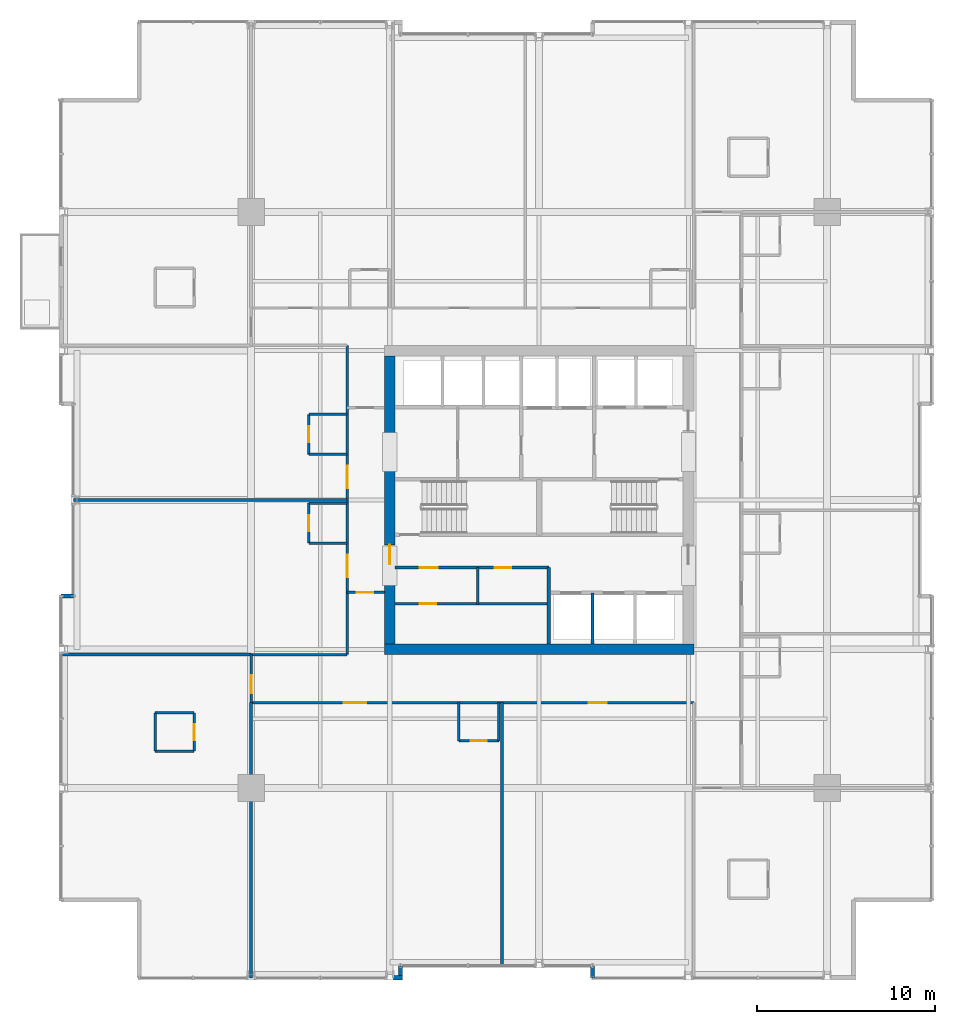
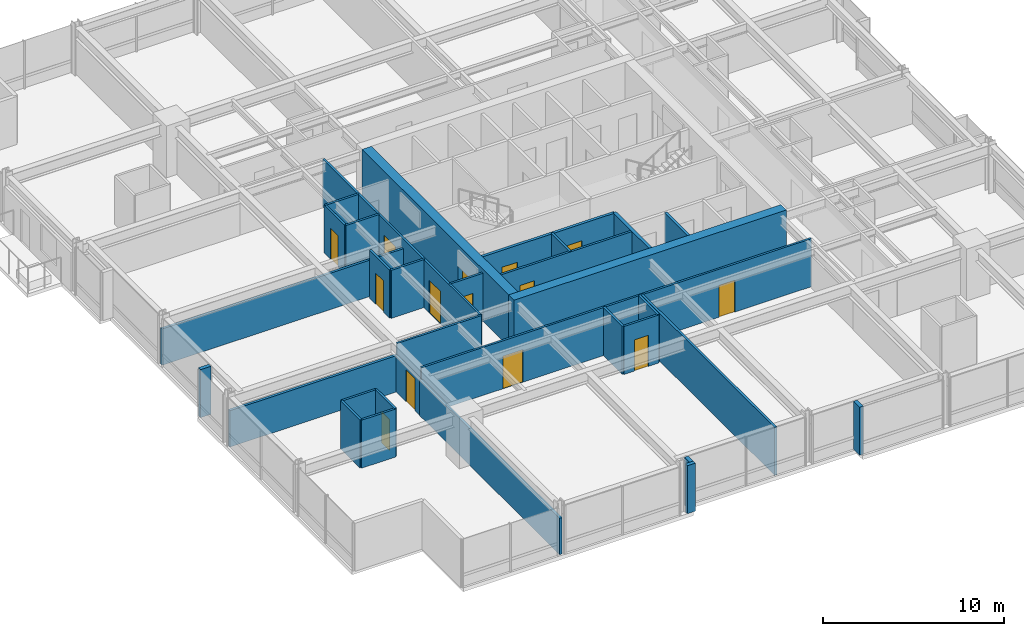
# One storey, part 28 of 33: 33 walls, 14 doors, 14 openings.
"""IFC4 building model written with IfcOpenShell, lengths in metres."""

from ifc_helpers import new_model, si_unit, direction, frame, frame_2d, origin, place, context, subcontext, project, spatial, rectangle, extrude, material, layer, layer_set, type_object, element, fill, save


model = new_model("IFC4")

# Units and contexts
model_context = context("Model", 3, precision=1e-05, world=origin(), true_north=direction((0.0, 1.0)))
body_context = subcontext(model_context, "Body", "Model", "MODEL_VIEW")
ifc_project = project(units=[si_unit("LENGTHUNIT", "METRE"), si_unit("AREAUNIT", "SQUARE_METRE"), si_unit("VOLUMEUNIT", "CUBIC_METRE"), si_unit("PLANEANGLEUNIT", "RADIAN"), si_unit("MASSUNIT", "GRAM", prefix="KILO")], contexts=[model_context])

# Site, building, storey
site_placement = place(None, origin())
site = spatial("IfcSite", under=ifc_project, at=site_placement, CompositionType="ELEMENT")
building_placement = place(site_placement, origin())
building = spatial("IfcBuilding", under=site, at=building_placement, Name="Drelvath Grand Hotel", CompositionType="ELEMENT")
storey_placement = place(building_placement, frame((0.0, 0.0, 105.800048828125)))
storey = spatial("IfcBuildingStorey", under=building, at=storey_placement, Name="L26", CompositionType="ELEMENT", Elevation=105.800048828125)

# Walls
ifc_material_1 = material(Name="Concrete C40/50", Category="concrete")
ifc_layer_1 = layer(ifc_material_1, 0.199951171875)
ifc_layer_set_1 = layer_set([ifc_layer_1], Name="Concrete C40/50")
wall_type_1 = type_object("IfcWallType", Name="Core Hoistway Fire Wall 200", PredefinedType="SOLIDWALL", material=ifc_layer_set_1)
wall_1_placement = place(storey_placement, frame((0.550048828125, 18.89990234375, 0.0), z_axis=(0.0, 0.0, 1.0), x_axis=(0.0, 1.0, 0.0)))
element("IfcWall", 1, at=wall_1_placement, inside=storey, type_object=wall_type_1, Name="L26 Bank 2 West Wall", PredefinedType="SOLIDWALL", context=body_context, shape_type="SweptSolid", body=[
    extrude(rectangle(XDim=4.300048828125, YDim=0.199951171875, at=frame_2d((2.14990234375, 0.0))), origin(), (0.0, 0.0, 1.0), 3.239990234375),
])
ifc_material_2 = material(Name="Gypsum Fireboard Partition")
ifc_layer_2 = layer(ifc_material_2, 0.1650390625)
ifc_layer_set_2 = layer_set([ifc_layer_2], Name="Gypsum Fireboard Partition")
wall_type_2 = type_object("IfcWallType", Name="Core Shaft Partition 165", PredefinedType="PARTITIONING", material=ifc_layer_set_2)
wall_2_placement = place(storey_placement, frame((3.0, 18.89990234375, 0.0), z_axis=(0.0, 0.0, 1.0), x_axis=(0.0, 1.0, 0.0)))
element("IfcWall", 2, at=wall_2_placement, inside=storey, type_object=wall_type_2, Name="L26 Lift PE-4/5 Divider", PredefinedType="PARTITIONING", context=body_context, shape_type="SweptSolid", body=[
    extrude(rectangle(XDim=2.880126953125, YDim=0.1650390625, at=frame_2d((1.43994140625, 0.0))), origin(), (0.0, 0.0, 1.0), 3.239990234375),
])

# Wall, opening, door
ifc_layer_3 = layer(ifc_material_2, 0.135009765625)
ifc_layer_set_3 = layer_set([ifc_layer_3], Name="Gypsum Fireboard Partition")
wall_type_3 = type_object("IfcWallType", Name="Corridor Fire Barrier Wall 135", PredefinedType="PARTITIONING", material=ifc_layer_set_3)
wall_3_placement = place(storey_placement, frame((-10.800048828125, 21.800048828125, 0.0), z_axis=(0.0, 0.0, 1.0), x_axis=(1.0, 0.0, 0.0)))
wall_3 = element("IfcWall", 3, at=wall_3_placement, inside=storey, type_object=wall_type_3, Name="L26 West Foyer South Wall", PredefinedType="PARTITIONING", context=body_context, shape_type="SweptSolid", body=[
    extrude(rectangle(XDim=2.10009765625, YDim=0.135009765625, at=frame_2d((1.050048828125, 0.0))), origin(), (0.0, 0.0, 1.0), 3.239990234375),
])
opening_1_placement = place(wall_3_placement, frame((0.550048828125, 0.0, 0.0)))
opening_1 = element("IfcOpeningElement", 4, at=opening_1_placement, cuts=wall_3, Name="Opening D-T2G2-019", PredefinedType="OPENING", context=body_context, shape_type="SweptSolid", body=[
    extrude(rectangle(XDim=0.919921875, YDim=2.10009765625, at=frame_2d((0.4599609375, 1.050048828125))), frame((0.0, 0.077392578125, 0.0), z_axis=(0.0, -1.0, 0.0), x_axis=(1.0, 0.0, 0.0)), (0.0, 0.0, 1.0), 0.155029296875),
])
ifc_material_3 = material(Name="Painted Steel S275", Category="steel")
door_type_1 = type_object("IfcDoorType", Name="Staff Utility Door 920x2100", OperationType="NOTDEFINED", PredefinedType="DOOR", material=ifc_material_3)
door_1_placement = place(opening_1_placement, origin())
door_1 = element("IfcDoor", 5, at=door_1_placement, inside=storey, type_object=door_type_1, Name="L26 West Linen Closet Door", OperationType="SINGLE_SWING_RIGHT", OverallHeight=2.10009765625, OverallWidth=0.919921875, PredefinedType="DOOR", context=body_context, shape_type="SweptSolid", body=[
    extrude(rectangle(XDim=0.919921875, YDim=2.10009765625, at=frame_2d((0.4599609375, 1.050048828125))), frame((0.0, 0.02490234375, 0.0), z_axis=(0.0, -1.0, 0.0), x_axis=(1.0, 0.0, 0.0)), (0.0, 0.0, 1.0), 0.050048828125),
])
fill(opening_1, door_1)

# Wall
wall_4_placement = place(storey_placement, frame((-16.199951171875, 18.300048828125, 0.0), z_axis=(0.0, 0.0, 1.0), x_axis=(1.0, 0.0, 0.0)))
element("IfcWall", 6, at=wall_4_placement, inside=storey, type_object=wall_type_3, Name="L26 SW Stub North Wall", PredefinedType="PARTITIONING", context=body_context, shape_type="SweptSolid", body=[
    extrude(rectangle(XDim=5.39990234375, YDim=0.135009765625, at=frame_2d((2.699951171875, 0.0))), origin(), (0.0, 0.0, 1.0), 3.239990234375),
])

# Wall, openings, doors
wall_5_placement = place(storey_placement, frame((-16.199951171875, 15.60009765625, 0.0), z_axis=(0.0, 0.0, 1.0), x_axis=(1.0, 0.0, 0.0)))
wall_5 = element("IfcWall", 7, at=wall_5_placement, inside=storey, type_object=wall_type_3, Name="L26 South Stub Corridor Wall", PredefinedType="PARTITIONING", context=body_context, shape_type="SweptSolid", body=[
    extrude(rectangle(XDim=24.89990234375, YDim=0.135009765625, at=frame_2d((12.449951171875, 0.0))), origin(), (0.0, 0.0, 1.0), 3.239990234375),
])
opening_2_placement = place(wall_5_placement, frame((5.2099609375, 0.0, 0.0)))
opening_2 = element("IfcOpeningElement", 8, at=opening_2_placement, cuts=wall_5, Name="Opening D-T2G2-030", PredefinedType="OPENING", context=body_context, shape_type="SweptSolid", body=[
    extrude(rectangle(XDim=1.260009765625, YDim=2.199951171875, at=frame_2d((0.6298828125, 1.10009765625))), frame((0.0, 0.077392578125, 0.0), z_axis=(0.0, -1.0, 0.0), x_axis=(1.0, 0.0, 0.0)), (0.0, 0.0, 1.0), 0.155029296875),
])
opening_3_placement = place(wall_5_placement, frame((18.9951171875, 0.0, 0.0)))
opening_3 = element("IfcOpeningElement", 9, at=opening_3_placement, cuts=wall_5, Name="Opening D-T2G2-031", PredefinedType="OPENING", context=body_context, shape_type="SweptSolid", body=[
    extrude(rectangle(XDim=1.02001953125, YDim=2.14990234375, at=frame_2d((0.510009765625, 1.074951171875))), frame((0.0, 0.077392578125, 0.0), z_axis=(0.0, -1.0, 0.0), x_axis=(1.0, 0.0, 0.0)), (0.0, 0.0, 1.0), 0.155029296875),
])
ifc_material_4 = material(Name="Hardwood Walnut Timber", Category="wood")
door_type_2 = type_object("IfcDoorType", Name="Amenity Meeting Fire Door 1020x2150", OperationType="NOTDEFINED", PredefinedType="DOOR", material=ifc_material_4)
door_2_placement = place(opening_3_placement, origin())
door_2 = element("IfcDoor", 10, at=door_2_placement, inside=storey, type_object=door_type_2, Name="L26 Wellness Yoga Studio Entry Door", OperationType="SINGLE_SWING_RIGHT", OverallHeight=2.14990234375, OverallWidth=1.02001953125, PredefinedType="DOOR", context=body_context, shape_type="SweptSolid", body=[
    extrude(rectangle(XDim=1.02001953125, YDim=2.14990234375, at=frame_2d((0.510009765625, 1.074951171875))), frame((0.0, 0.02490234375, 0.0), z_axis=(0.0, -1.0, 0.0), x_axis=(1.0, 0.0, 0.0)), (0.0, 0.0, 1.0), 0.050048828125),
])
fill(opening_3, door_2)
door_type_3 = type_object("IfcDoorType", Name="Suite Entrance Fire Door 1260x2200", OperationType="NOTDEFINED", PredefinedType="DOOR", material=ifc_material_4)
door_3_placement = place(opening_2_placement, origin())
door_3 = element("IfcDoor", 11, at=door_3_placement, inside=storey, type_object=door_type_3, Name="L26 Corner Suite Entry Door", OperationType="SINGLE_SWING_LEFT", OverallHeight=2.199951171875, OverallWidth=1.260009765625, PredefinedType="DOOR", context=body_context, shape_type="SweptSolid", body=[
    extrude(rectangle(XDim=1.260009765625, YDim=2.199951171875, at=frame_2d((0.6298828125, 1.10009765625))), frame((0.0, 0.02490234375, 0.0), z_axis=(0.0, -1.0, 0.0), x_axis=(1.0, 0.0, 0.0)), (0.0, 0.0, 1.0), 0.050048828125),
])
fill(opening_2, door_3)

wall_6_placement = place(storey_placement, frame((-10.800048828125, 18.300048828125, 0.0), z_axis=(0.0, 0.0, 1.0), x_axis=(0.0, 1.0, 0.0)))
wall_6 = element("IfcWall", 12, at=wall_6_placement, inside=storey, type_object=wall_type_3, Name="L26 West Spine Wall", PredefinedType="PARTITIONING", context=body_context, shape_type="SweptSolid", body=[
    extrude(rectangle(XDim=17.39990234375, YDim=0.135009765625, at=frame_2d((8.699951171875, 0.0))), origin(), (0.0, 0.0, 1.0), 3.239990234375),
])
opening_4_placement = place(wall_6_placement, frame((4.35498046875, 0.0, 0.0)))
opening_4 = element("IfcOpeningElement", 13, at=opening_4_placement, cuts=wall_6, Name="Opening D-T2G2-046", PredefinedType="OPENING", context=body_context, shape_type="SweptSolid", body=[
    extrude(rectangle(XDim=1.260009765625, YDim=2.199951171875, at=frame_2d((0.6298828125, 1.10009765625))), frame((0.0, 0.077392578125, 0.0), z_axis=(0.0, -1.0, 0.0), x_axis=(1.0, 0.0, 0.0)), (0.0, 0.0, 1.0), 0.155029296875),
])
opening_5_placement = place(wall_6_placement, frame((9.35498046875, 0.0, 0.0)))
opening_5 = element("IfcOpeningElement", 14, at=opening_5_placement, cuts=wall_6, Name="Opening D-T2G2-048", PredefinedType="OPENING", context=body_context, shape_type="SweptSolid", body=[
    extrude(rectangle(XDim=1.260009765625, YDim=2.199951171875, at=frame_2d((0.6298828125, 1.10009765625))), frame((0.0, 0.077392578125, 0.0), z_axis=(0.0, -1.0, 0.0), x_axis=(1.0, 0.0, 0.0)), (0.0, 0.0, 1.0), 0.155029296875),
])
door_4_placement = place(opening_4_placement, origin())
door_4 = element("IfcDoor", 15, at=door_4_placement, inside=storey, type_object=door_type_3, Name="L26 Corner Suite Entry Door", OperationType="SINGLE_SWING_LEFT", OverallHeight=2.199951171875, OverallWidth=1.260009765625, PredefinedType="DOOR", context=body_context, shape_type="SweptSolid", body=[
    extrude(rectangle(XDim=1.260009765625, YDim=2.199951171875, at=frame_2d((0.6298828125, 1.10009765625))), frame((0.0, 0.02490234375, 0.0), z_axis=(0.0, -1.0, 0.0), x_axis=(1.0, 0.0, 0.0)), (0.0, 0.0, 1.0), 0.050048828125),
])
fill(opening_4, door_4)
door_5_placement = place(opening_5_placement, origin())
door_5 = element("IfcDoor", 16, at=door_5_placement, inside=storey, type_object=door_type_3, Name="L26 Corner Suite Entry Door", OperationType="SINGLE_SWING_LEFT", OverallHeight=2.199951171875, OverallWidth=1.260009765625, PredefinedType="DOOR", context=body_context, shape_type="SweptSolid", body=[
    extrude(rectangle(XDim=1.260009765625, YDim=2.199951171875, at=frame_2d((0.6298828125, 1.10009765625))), frame((0.0, 0.02490234375, 0.0), z_axis=(0.0, -1.0, 0.0), x_axis=(1.0, 0.0, 0.0)), (0.0, 0.0, 1.0), 0.050048828125),
])
fill(opening_5, door_5)

# Wall, opening, door
wall_7_placement = place(storey_placement, frame((-16.199951171875, 15.60009765625, 0.0), z_axis=(0.0, 0.0, 1.0), x_axis=(0.0, 1.0, 0.0)))
wall_7 = element("IfcWall", 17, at=wall_7_placement, inside=storey, type_object=wall_type_3, Name="L26 South Stub West End", PredefinedType="PARTITIONING", context=body_context, shape_type="SweptSolid", body=[
    extrude(rectangle(XDim=2.699951171875, YDim=0.135009765625, at=frame_2d((1.35009765625, 0.0))), origin(), (0.0, 0.0, 1.0), 2.45166015625),
])
opening_6_placement = place(wall_7_placement, frame((0.52001953125, 0.0, 0.0)))
opening_6 = element("IfcOpeningElement", 18, at=opening_6_placement, cuts=wall_7, Name="Opening D-T2G2-022", PredefinedType="OPENING", context=body_context, shape_type="SweptSolid", body=[
    extrude(rectangle(XDim=1.02001953125, YDim=2.14990234375, at=frame_2d((0.510009765625, 1.074951171875))), frame((0.0, 0.077392578125, 0.0), z_axis=(0.0, -1.0, 0.0), x_axis=(1.0, 0.0, 0.0)), (0.0, 0.0, 1.0), 0.155029296875),
])
door_6_placement = place(opening_6_placement, origin())
door_6 = element("IfcDoor", 19, at=door_6_placement, inside=storey, type_object=door_type_2, Name="L26 Corner Suite Entry Door", OperationType="SINGLE_SWING_LEFT", OverallHeight=2.14990234375, OverallWidth=1.02001953125, PredefinedType="DOOR", context=body_context, shape_type="SweptSolid", body=[
    extrude(rectangle(XDim=1.02001953125, YDim=2.14990234375, at=frame_2d((0.510009765625, 1.074951171875))), frame((0.0, 0.02490234375, 0.0), z_axis=(0.0, -1.0, 0.0), x_axis=(1.0, 0.0, 0.0)), (0.0, 0.0, 1.0), 0.050048828125),
])
fill(opening_6, door_6)

ifc_material_5 = material(Name="Moisture-Resistant Gypsum Board")
ifc_layer_4 = layer(ifc_material_5, 0.139892578125)
ifc_layer_set_4 = layer_set([ifc_layer_4], Name="Moisture-Resistant Gypsum Board")
wall_type_4 = type_object("IfcWallType", Name="En-Suite Plumbing Wall 140", PredefinedType="PLUMBINGWALL", material=ifc_layer_set_4)
wall_8_placement = place(storey_placement, frame((-8.10009765625, 21.159912109375, 0.0), z_axis=(0.0, 0.0, 1.0), x_axis=(1.0, 0.0, 0.0)))
wall_8 = element("IfcWall", 20, at=wall_8_placement, inside=storey, type_object=wall_type_4, Name="L26 Reclaimed Horizontal Wall", PredefinedType="PLUMBINGWALL", context=body_context, shape_type="SweptSolid", body=[
    extrude(rectangle(XDim=8.650146484375, YDim=0.139892578125, at=frame_2d((4.3251953125, 0.0))), origin(), (0.0, 0.0, 1.0), 3.239990234375),
])
opening_7_placement = place(wall_8_placement, frame((1.39990234375, 0.0, 0.0)))
opening_7 = element("IfcOpeningElement", 21, at=opening_7_placement, cuts=wall_8, Name="Opening D-T2G2-018", PredefinedType="OPENING", context=body_context, shape_type="SweptSolid", body=[
    extrude(rectangle(XDim=0.919921875, YDim=2.10009765625, at=frame_2d((0.4599609375, 1.050048828125))), frame((0.0, 0.079833984375, 0.0), z_axis=(0.0, -1.0, 0.0), x_axis=(1.0, 0.0, 0.0)), (0.0, 0.0, 1.0), 0.159912109375),
])
door_7_placement = place(opening_7_placement, origin())
door_7 = element("IfcDoor", 22, at=door_7_placement, inside=storey, type_object=door_type_1, Name="L26 Housekeeping Inner Door", OperationType="SINGLE_SWING_LEFT", OverallHeight=2.10009765625, OverallWidth=0.919921875, PredefinedType="DOOR", context=body_context, shape_type="SweptSolid", body=[
    extrude(rectangle(XDim=0.919921875, YDim=2.10009765625, at=frame_2d((0.4599609375, 1.050048828125))), frame((0.0, 0.02490234375, 0.0), z_axis=(0.0, -1.0, 0.0), x_axis=(1.0, 0.0, 0.0)), (0.0, 0.0, 1.0), 0.050048828125),
])
fill(opening_7, door_7)

# Walls
wall_9_placement = place(storey_placement, frame((-3.43994140625, 21.159912109375, 0.0), z_axis=(0.0, 0.0, 1.0), x_axis=(0.0, 1.0, 0.0)))
element("IfcWall", 23, at=wall_9_placement, inside=storey, type_object=wall_type_4, Name="L26 Staff WC Wall", PredefinedType="PLUMBINGWALL", context=body_context, shape_type="SweptSolid", body=[
    extrude(rectangle(XDim=2.0400390625, YDim=0.139892578125, at=frame_2d((1.02001953125, 0.0))), origin(), (0.0, 0.0, 1.0), 3.239990234375),
])
for number, where, z_axis, x_axis, name in (
    (24, (-21.60009765625, 12.8798828125, 0.0), (0.0, 0.0, 1.0), (1.0, 0.0, 0.0), "L26 Corner En-Suite South"),
    (25, (-21.60009765625, 15.030029296875, 0.0), (0.0, 0.0, 1.0), (1.0, 0.0, 0.0), "L26 Corner En-Suite North"),
):
    element("IfcWall", number, at=place(storey_placement, frame(where, z_axis=z_axis, x_axis=x_axis)), inside=storey, type_object=wall_type_4, Name=name, PredefinedType="PLUMBINGWALL", context=body_context, shape_type="SweptSolid", body=[
        extrude(rectangle(XDim=2.2001953125, YDim=0.139892578125, at=frame_2d((1.10009765625, 0.0))), origin(), (0.0, 0.0, 1.0), 3.239990234375),
    ])
wall_10_placement = place(storey_placement, frame((-21.60009765625, 12.8798828125, 0.0), z_axis=(0.0, 0.0, 1.0), x_axis=(0.0, 1.0, 0.0)))
element("IfcWall", 26, at=wall_10_placement, inside=storey, type_object=wall_type_4, Name="L26 Corner En-Suite West", PredefinedType="PLUMBINGWALL", context=body_context, shape_type="SweptSolid", body=[
    extrude(rectangle(XDim=2.150146484375, YDim=0.139892578125, at=frame_2d((1.0751953125, 0.0))), origin(), (0.0, 0.0, 1.0), 3.239990234375),
])

# Wall, opening, door
wall_11_placement = place(storey_placement, frame((-19.39990234375, 12.8798828125, 0.0), z_axis=(0.0, 0.0, 1.0), x_axis=(0.0, 1.0, 0.0)))
wall_11 = element("IfcWall", 27, at=wall_11_placement, inside=storey, type_object=wall_type_4, Name="L26 Corner En-Suite East", PredefinedType="PLUMBINGWALL", context=body_context, shape_type="SweptSolid", body=[
    extrude(rectangle(XDim=2.150146484375, YDim=0.139892578125, at=frame_2d((1.0751953125, 0.0))), origin(), (0.0, 0.0, 1.0), 3.239990234375),
])
opening_8_placement = place(wall_11_placement, frame((0.6201171875, 0.0, 0.0)))
opening_8 = element("IfcOpeningElement", 28, at=opening_8_placement, cuts=wall_11, Name="Opening D-T2G2-021", PredefinedType="OPENING", context=body_context, shape_type="SweptSolid", body=[
    extrude(rectangle(XDim=0.8798828125, YDim=2.10009765625, at=frame_2d((0.43994140625, 1.050048828125))), frame((0.0, 0.079833984375, 0.0), z_axis=(0.0, -1.0, 0.0), x_axis=(1.0, 0.0, 0.0)), (0.0, 0.0, 1.0), 0.159912109375),
])
door_type_4 = type_object("IfcDoorType", Name="En-Suite Bathroom Door 880x2100", OperationType="NOTDEFINED", PredefinedType="DOOR", material=ifc_material_4)
door_8_placement = place(opening_8_placement, origin())
door_8 = element("IfcDoor", 29, at=door_8_placement, inside=storey, type_object=door_type_4, Name="L26 Corner En-Suite Door", OperationType="SINGLE_SWING_RIGHT", OverallHeight=2.10009765625, OverallWidth=0.8798828125, PredefinedType="DOOR", context=body_context, shape_type="SweptSolid", body=[
    extrude(rectangle(XDim=0.8798828125, YDim=2.10009765625, at=frame_2d((0.43994140625, 1.050048828125))), frame((0.0, 0.02490234375, 0.0), z_axis=(0.0, -1.0, 0.0), x_axis=(1.0, 0.0, 0.0)), (0.0, 0.0, 1.0), 0.050048828125),
])
fill(opening_8, door_8)

# Walls
for number, where, z_axis, x_axis, name in (
    (30, (-4.52001953125, 15.60009765625, 0.0), (0.0, 0.0, 1.0), (0.0, -1.0, 0.0), "L26 En-Suite Left Wall"),
    (31, (-2.27001953125, 15.60009765625, 0.0), (0.0, 0.0, 1.0), (0.0, -1.0, 0.0), "L26 En-Suite Right Wall"),
):
    element("IfcWall", number, at=place(storey_placement, frame(where, z_axis=z_axis, x_axis=x_axis)), inside=storey, type_object=wall_type_4, Name=name, PredefinedType="PLUMBINGWALL", context=body_context, shape_type="SweptSolid", body=[
        extrude(rectangle(XDim=2.150146484375, YDim=0.139892578125, at=frame_2d((1.0751953125, 0.0))), origin(), (0.0, 0.0, 1.0), 3.239990234375),
    ])

# Wall, opening, door
wall_12_placement = place(storey_placement, frame((-4.52001953125, 13.449951171875, 0.0), z_axis=(0.0, 0.0, 1.0), x_axis=(1.0, 0.0, 0.0)))
wall_12 = element("IfcWall", 32, at=wall_12_placement, inside=storey, type_object=wall_type_4, Name="L26 En-Suite Front Wall", PredefinedType="PLUMBINGWALL", context=body_context, shape_type="SweptSolid", body=[
    extrude(rectangle(XDim=2.25, YDim=0.139892578125, at=frame_2d((1.125, 0.0))), origin(), (0.0, 0.0, 1.0), 3.239990234375),
])
opening_9_placement = place(wall_12_placement, frame((0.68505859375, 0.0, 0.0)))
opening_9 = element("IfcOpeningElement", 33, at=opening_9_placement, cuts=wall_12, Name="Opening D-T2G2-029", PredefinedType="OPENING", context=body_context, shape_type="SweptSolid", body=[
    extrude(rectangle(XDim=0.8798828125, YDim=2.10009765625, at=frame_2d((0.43994140625, 1.050048828125))), frame((0.0, 0.079833984375, 0.0), z_axis=(0.0, -1.0, 0.0), x_axis=(1.0, 0.0, 0.0)), (0.0, 0.0, 1.0), 0.159912109375),
])
door_9_placement = place(opening_9_placement, origin())
door_9 = element("IfcDoor", 34, at=door_9_placement, inside=storey, type_object=door_type_4, Name="L26 En-Suite Bathroom Door", OperationType="SINGLE_SWING_RIGHT", OverallHeight=2.10009765625, OverallWidth=0.8798828125, PredefinedType="DOOR", context=body_context, shape_type="SweptSolid", body=[
    extrude(rectangle(XDim=0.8798828125, YDim=2.10009765625, at=frame_2d((0.43994140625, 1.050048828125))), frame((0.0, 0.02490234375, 0.0), z_axis=(0.0, -1.0, 0.0), x_axis=(1.0, 0.0, 0.0)), (0.0, 0.0, 1.0), 0.050048828125),
])
fill(opening_9, door_9)

# Walls
wall_13_placement = place(storey_placement, frame((-10.800048828125, 24.570068359375, 0.0), z_axis=(0.0, 0.0, 1.0), x_axis=(-1.0, 0.0, 0.0)))
element("IfcWall", 35, at=wall_13_placement, inside=storey, type_object=wall_type_4, Name="L26 En-Suite Left Wall", PredefinedType="PLUMBINGWALL", context=body_context, shape_type="SweptSolid", body=[
    extrude(rectangle(XDim=2.14990234375, YDim=0.139892578125, at=frame_2d((1.074951171875, 0.0))), origin(), (0.0, 0.0, 1.0), 3.239990234375),
])
wall_14_placement = place(storey_placement, frame((-10.800048828125, 26.820068359375, 0.0), z_axis=(0.0, 0.0, 1.0), x_axis=(-1.0, 0.0, 0.0)))
element("IfcWall", 36, at=wall_14_placement, inside=storey, type_object=wall_type_4, Name="L26 En-Suite Right Wall", PredefinedType="PLUMBINGWALL", context=body_context, shape_type="SweptSolid", body=[
    extrude(rectangle(XDim=2.14990234375, YDim=0.139892578125, at=frame_2d((1.074951171875, 0.0))), origin(), (0.0, 0.0, 1.0), 2.617431640625),
])

# Wall, opening, door
wall_15_placement = place(storey_placement, frame((-12.949951171875, 24.570068359375, 0.0), z_axis=(0.0, 0.0, 1.0), x_axis=(0.0, 1.0, 0.0)))
wall_15 = element("IfcWall", 37, at=wall_15_placement, inside=storey, type_object=wall_type_4, Name="L26 En-Suite Front Wall", PredefinedType="PLUMBINGWALL", context=body_context, shape_type="SweptSolid", body=[
    extrude(rectangle(XDim=2.25, YDim=0.139892578125, at=frame_2d((1.125, 0.0))), origin(), (0.0, 0.0, 1.0), 3.239990234375),
])
opening_10_placement = place(wall_15_placement, frame((0.68505859375, 0.0, 0.0)))
opening_10 = element("IfcOpeningElement", 38, at=opening_10_placement, cuts=wall_15, Name="Opening D-T2G2-045", PredefinedType="OPENING", context=body_context, shape_type="SweptSolid", body=[
    extrude(rectangle(XDim=0.8798828125, YDim=2.10009765625, at=frame_2d((0.43994140625, 1.050048828125))), frame((0.0, 0.079833984375, 0.0), z_axis=(0.0, -1.0, 0.0), x_axis=(1.0, 0.0, 0.0)), (0.0, 0.0, 1.0), 0.159912109375),
])
door_10_placement = place(opening_10_placement, origin())
door_10 = element("IfcDoor", 39, at=door_10_placement, inside=storey, type_object=door_type_4, Name="L26 En-Suite Bathroom Door", OperationType="SINGLE_SWING_RIGHT", OverallHeight=2.10009765625, OverallWidth=0.8798828125, PredefinedType="DOOR", context=body_context, shape_type="SweptSolid", body=[
    extrude(rectangle(XDim=0.8798828125, YDim=2.10009765625, at=frame_2d((0.43994140625, 1.050048828125))), frame((0.0, 0.02490234375, 0.0), z_axis=(0.0, -1.0, 0.0), x_axis=(1.0, 0.0, 0.0)), (0.0, 0.0, 1.0), 0.050048828125),
])
fill(opening_10, door_10)

# Walls
for number, where, z_axis, x_axis, name in (
    (40, (-10.800048828125, 29.570068359375, 0.0), (0.0, 0.0, 1.0), (-1.0, 0.0, 0.0), "L26 En-Suite Left Wall"),
    (41, (-10.800048828125, 31.820068359375, 0.0), (0.0, 0.0, 1.0), (-1.0, 0.0, 0.0), "L26 En-Suite Right Wall"),
):
    element("IfcWall", number, at=place(storey_placement, frame(where, z_axis=z_axis, x_axis=x_axis)), inside=storey, type_object=wall_type_4, Name=name, PredefinedType="PLUMBINGWALL", context=body_context, shape_type="SweptSolid", body=[
        extrude(rectangle(XDim=2.14990234375, YDim=0.139892578125, at=frame_2d((1.074951171875, 0.0))), origin(), (0.0, 0.0, 1.0), 3.239990234375),
    ])

# Wall, opening, door
wall_16_placement = place(storey_placement, frame((-12.949951171875, 29.570068359375, 0.0), z_axis=(0.0, 0.0, 1.0), x_axis=(0.0, 1.0, 0.0)))
wall_16 = element("IfcWall", 42, at=wall_16_placement, inside=storey, type_object=wall_type_4, Name="L26 En-Suite Front Wall", PredefinedType="PLUMBINGWALL", context=body_context, shape_type="SweptSolid", body=[
    extrude(rectangle(XDim=2.25, YDim=0.139892578125, at=frame_2d((1.125, 0.0))), origin(), (0.0, 0.0, 1.0), 3.239990234375),
])
opening_11_placement = place(wall_16_placement, frame((0.68505859375, 0.0, 0.0)))
opening_11 = element("IfcOpeningElement", 43, at=opening_11_placement, cuts=wall_16, Name="Opening D-T2G2-047", PredefinedType="OPENING", context=body_context, shape_type="SweptSolid", body=[
    extrude(rectangle(XDim=0.8798828125, YDim=2.10009765625, at=frame_2d((0.43994140625, 1.050048828125))), frame((0.0, 0.079833984375, 0.0), z_axis=(0.0, -1.0, 0.0), x_axis=(1.0, 0.0, 0.0)), (0.0, 0.0, 1.0), 0.159912109375),
])
door_11_placement = place(opening_11_placement, origin())
door_11 = element("IfcDoor", 44, at=door_11_placement, inside=storey, type_object=door_type_4, Name="L26 En-Suite Bathroom Door", OperationType="SINGLE_SWING_RIGHT", OverallHeight=2.10009765625, OverallWidth=0.8798828125, PredefinedType="DOOR", context=body_context, shape_type="SweptSolid", body=[
    extrude(rectangle(XDim=0.8798828125, YDim=2.10009765625, at=frame_2d((0.43994140625, 1.050048828125))), frame((0.0, 0.02490234375, 0.0), z_axis=(0.0, -1.0, 0.0), x_axis=(1.0, 0.0, 0.0)), (0.0, 0.0, 1.0), 0.050048828125),
])
fill(opening_11, door_11)

# Wall, openings, doors
ifc_layer_5 = layer(ifc_material_2, 0.179931640625)
ifc_layer_set_5 = layer_set([ifc_layer_5], Name="Gypsum Fireboard Partition")
wall_type_5 = type_object("IfcWallType", Name="FSAE Smoke Lobby Fire Wall 180", PredefinedType="SOLIDWALL", material=ifc_layer_set_5)
wall_17_placement = place(storey_placement, frame((-8.10009765625, 23.199951171875, 0.0), z_axis=(0.0, 0.0, 1.0), x_axis=(1.0, 0.0, 0.0)))
wall_17 = element("IfcWall", 45, at=wall_17_placement, inside=storey, type_object=wall_type_5, Name="L26 Reclaimed Core Room Wall", PredefinedType="SOLIDWALL", context=body_context, shape_type="SweptSolid", body=[
    extrude(rectangle(XDim=8.650146484375, YDim=0.179931640625, at=frame_2d((4.3251953125, 0.0))), origin(), (0.0, 0.0, 1.0), 3.239990234375),
])
opening_12_placement = place(wall_17_placement, frame((1.39990234375, 0.0, 0.0)))
opening_12 = element("IfcOpeningElement", 46, at=opening_12_placement, cuts=wall_17, Name="Opening D-T2G2-016", PredefinedType="OPENING", context=body_context, shape_type="SweptSolid", body=[
    extrude(rectangle(XDim=1.0, YDim=2.10009765625, at=frame_2d((0.5, 1.050048828125))), frame((0.0, 0.099853515625, 0.0), z_axis=(0.0, -1.0, 0.0), x_axis=(1.0, 0.0, 0.0)), (0.0, 0.0, 1.0), 0.199951171875),
])
opening_13_placement = place(wall_17_placement, frame((5.60009765625, 0.0, 0.0)))
opening_13 = element("IfcOpeningElement", 47, at=opening_13_placement, cuts=wall_17, Name="Opening D-T2G2-017", PredefinedType="OPENING", context=body_context, shape_type="SweptSolid", body=[
    extrude(rectangle(XDim=0.919921875, YDim=2.10009765625, at=frame_2d((0.4599609375, 1.050048828125))), frame((0.0, 0.099853515625, 0.0), z_axis=(0.0, -1.0, 0.0), x_axis=(1.0, 0.0, 0.0)), (0.0, 0.0, 1.0), 0.199951171875),
])
door_type_5 = type_object("IfcDoorType", Name="Core Service Fire Door 1000x2100", OperationType="NOTDEFINED", PredefinedType="DOOR", material=ifc_material_3)
door_12_placement = place(opening_12_placement, origin())
door_12 = element("IfcDoor", 48, at=door_12_placement, inside=storey, type_object=door_type_5, Name="L26 Valet Room Door", OperationType="SINGLE_SWING_LEFT", OverallHeight=2.10009765625, OverallWidth=1.0, PredefinedType="DOOR", context=body_context, shape_type="SweptSolid", body=[
    extrude(rectangle(XDim=1.0, YDim=2.10009765625, at=frame_2d((0.5, 1.050048828125))), frame((0.0, 0.02490234375, 0.0), z_axis=(0.0, -1.0, 0.0), x_axis=(1.0, 0.0, 0.0)), (0.0, 0.0, 1.0), 0.050048828125),
])
fill(opening_12, door_12)
door_13_placement = place(opening_13_placement, origin())
door_13 = element("IfcDoor", 49, at=door_13_placement, inside=storey, type_object=door_type_5, Name="L26 Staff WC Door", OperationType="SINGLE_SWING_RIGHT", OverallHeight=2.10009765625, OverallWidth=0.919921875, PredefinedType="DOOR", context=body_context, shape_type="SweptSolid", body=[
    extrude(rectangle(XDim=0.919921875, YDim=2.10009765625, at=frame_2d((0.4599609375, 1.050048828125))), frame((0.0, 0.02490234375, 0.0), z_axis=(0.0, -1.0, 0.0), x_axis=(1.0, 0.0, 0.0)), (0.0, 0.0, 1.0), 0.050048828125),
])
fill(opening_13, door_13)

# Walls
ifc_material_6 = material(Name="Gypsum Acoustic Partition")
ifc_layer_6 = layer(ifc_material_6, 0.14990234375)
ifc_layer_set_6 = layer_set([ifc_layer_6], Name="Gypsum Acoustic Partition")
wall_type_6 = type_object("IfcWallType", Name="Guestroom Demising Wall 150", PredefinedType="PARTITIONING", material=ifc_layer_set_6)
wall_18_placement = place(storey_placement, frame((-2.090087890625, 0.800048828125, 0.0), z_axis=(0.0, 0.0, 1.0), x_axis=(0.0, 1.0, 0.0)))
element("IfcWall", 50, at=wall_18_placement, inside=storey, type_object=wall_type_6, Name="L26 South Demising 1", PredefinedType="PARTITIONING", context=body_context, shape_type="SweptSolid", body=[
    extrude(rectangle(XDim=14.800048828125, YDim=0.14990234375, at=frame_2d((7.39990234375, 0.0))), origin(), (0.0, 0.0, 1.0), 3.239990234375),
])
wall_19_placement = place(storey_placement, frame((-26.199951171875, 27.0, 0.0), z_axis=(0.0, 0.0, 1.0), x_axis=(1.0, 0.0, 0.0)))
element("IfcWall", 51, at=wall_19_placement, inside=storey, type_object=wall_type_6, Name="L26 West Suite Demising Wall", PredefinedType="PARTITIONING", context=body_context, shape_type="SweptSolid", body=[
    extrude(rectangle(XDim=15.39990234375, YDim=0.14990234375, at=frame_2d((7.699951171875, 0.0))), origin(), (0.0, 0.0, 1.0), 2.45166015625),
])
ifc_material_7 = material(Name="Concrete f'c 70 MPa", Category="concrete")
ifc_layer_7 = layer(ifc_material_7, 0.60009765625)
ifc_layer_set_7 = layer_set([ifc_layer_7], Name="Concrete f'c 70 MPa")
wall_type_7 = type_object("IfcWallType", Name="Lower Core RC Shear Wall 600", PredefinedType="SHEAR", material=ifc_layer_set_7)
wall_20_placement = place(storey_placement, frame((8.699951171875, 18.60009765625, 0.0), z_axis=(0.0, 0.0, 1.0), x_axis=(-1.0, 0.0, 0.0)))
element("IfcWall", 52, at=wall_20_placement, inside=storey, type_object=wall_type_7, Name="L26 Central Core Shear Wall S", PredefinedType="SHEAR", context=body_context, shape_type="SweptSolid", body=[
    extrude(rectangle(XDim=17.39990234375, YDim=0.60009765625, at=frame_2d((8.699951171875, 0.0))), origin(), (0.0, 0.0, 1.0), 3.5),
])

# Wall, opening, door
wall_21_placement = place(storey_placement, frame((-8.39990234375, 18.89990234375, 0.0), z_axis=(0.0, 0.0, 1.0), x_axis=(0.0, 1.0, 0.0)))
wall_21 = element("IfcWall", 53, at=wall_21_placement, inside=storey, type_object=wall_type_7, Name="L26 Central Core Shear Wall W", PredefinedType="SHEAR", context=body_context, shape_type="SweptSolid", body=[
    extrude(rectangle(XDim=16.2001953125, YDim=0.60009765625, at=frame_2d((8.10009765625, 0.0))), origin(), (0.0, 0.0, 1.0), 3.5),
])
opening_14_placement = place(wall_21_placement, frame((4.5, 0.0, 0.0)))
opening_14 = element("IfcOpeningElement", 54, at=opening_14_placement, cuts=wall_21, Name="Opening D-T2G2-014", PredefinedType="OPENING", context=body_context, shape_type="SweptSolid", body=[
    extrude(rectangle(XDim=1.080078125, YDim=2.0400390625, at=frame_2d((0.5400390625, 1.02001953125))), frame((0.0, 0.31005859375, 0.0), z_axis=(0.0, -1.0, 0.0), x_axis=(1.0, 0.0, 0.0)), (0.0, 0.0, 1.0), 0.6201171875),
])
door_type_6 = type_object("IfcDoorType", Name="Core Corridor Fire Door 1080x2100", OperationType="NOTDEFINED", PredefinedType="DOOR", material=ifc_material_3)
door_14_placement = place(opening_14_placement, origin())
door_14 = element("IfcDoor", 55, at=door_14_placement, inside=storey, type_object=door_type_6, Name="L26 Mid-Rise Lobby West Door", OperationType="SINGLE_SWING_LEFT", OverallHeight=2.0400390625, OverallWidth=1.080078125, PredefinedType="DOOR", context=body_context, shape_type="SweptSolid", body=[
    extrude(rectangle(XDim=1.080078125, YDim=2.0400390625, at=frame_2d((0.5400390625, 1.02001953125))), frame((0.0, 0.02490234375, 0.0), z_axis=(0.0, -1.0, 0.0), x_axis=(1.0, 0.0, 0.0)), (0.0, 0.0, 1.0), 0.050048828125),
])
fill(opening_14, door_14)

# Walls
ifc_layer_8 = layer(ifc_material_6, 0.1650390625)
ifc_layer_set_8 = layer_set([ifc_layer_8], Name="Gypsum Acoustic Partition")
wall_type_8 = type_object("IfcWallType", Name="Suite Demising Wall 165", PredefinedType="PARTITIONING", material=ifc_layer_set_8)
wall_22_placement = place(storey_placement, frame((-16.199951171875, 0.1201171875, 0.0), z_axis=(0.0, 0.0, 1.0), x_axis=(0.0, 1.0, 0.0)))
element("IfcWall", 56, at=wall_22_placement, inside=storey, type_object=wall_type_8, Name="L26 SW Suite East Wall", PredefinedType="PARTITIONING", context=body_context, shape_type="SweptSolid", body=[
    extrude(rectangle(XDim=15.47998046875, YDim=0.1650390625, at=frame_2d((7.739990234375, 0.0))), origin(), (0.0, 0.0, 1.0), 2.45166015625),
])
wall_23_placement = place(storey_placement, frame((-26.8798828125, 18.300048828125, 0.0), z_axis=(0.0, 0.0, 1.0), x_axis=(1.0, 0.0, 0.0)))
element("IfcWall", 57, at=wall_23_placement, inside=storey, type_object=wall_type_8, Name="L26 SW Suite North Wall", PredefinedType="PARTITIONING", context=body_context, shape_type="SweptSolid", body=[
    extrude(rectangle(XDim=10.679931640625, YDim=0.1650390625, at=frame_2d((5.33984375, 0.0))), origin(), (0.0, 0.0, 1.0), 2.45166015625),
])
ifc_material_8 = material(Name="Pale-Metal Insulated Aluminium Spandrel Assembly", Category="aluminium")
ifc_layer_9 = layer(ifc_material_8, 0.239990234375)
ifc_layer_set_9 = layer_set([ifc_layer_9], Name="Pale-Metal Insulated Aluminium Spandrel Assembly")
wall_type_9 = type_object("IfcWallType", Name="Tower Insulated Metal Spandrel Closure Wall 240", PredefinedType="STANDARD", material=ifc_layer_set_9)
wall_24_placement = place(storey_placement, frame((-7.679931640625, 0.1201171875, 0.0), z_axis=(0.0, 0.0, 1.0), x_axis=(-1.0, 0.0, 0.0)))
element("IfcWall", 58, at=wall_24_placement, inside=storey, type_object=wall_type_9, Name="L26 Corner Pier Spandrel Wall SW3", PredefinedType="STANDARD", context=body_context, shape_type="SweptSolid", body=[
    extrude(rectangle(XDim=0.50048828125, YDim=0.239990234375, at=frame_2d((0.250244140625, 0.0))), origin(), (0.0, 0.0, 1.0), 3.239990234375),
])
for number, where, z_axis, x_axis, name in (
    (59, (-26.8798828125, 21.60009765625, 0.0), (0.0, 0.0, 1.0), (1.0, 0.0, 0.0), "L26 Notched Corner Return Spandrel Wall RW1"),
    (60, (3.0, 0.1201171875, 0.0), (0.0, 0.0, 1.0), (0.0, 1.0, 0.0), "L26 Notched Corner Return Spandrel Wall RS1"),
):
    element("IfcWall", number, at=place(storey_placement, frame(where, z_axis=z_axis, x_axis=x_axis)), inside=storey, type_object=wall_type_9, Name=name, PredefinedType="STANDARD", context=body_context, shape_type="SweptSolid", body=[
        extrude(rectangle(XDim=0.679931640625, YDim=0.239990234375, at=frame_2d((0.33984375, 0.0))), origin(), (0.0, 0.0, 1.0), 3.239990234375),
    ])
wall_25_placement = place(storey_placement, frame((-7.800048828125, 0.800048828125, 0.0), z_axis=(0.0, 0.0, 1.0), x_axis=(0.0, -1.0, 0.0)))
element("IfcWall", 61, at=wall_25_placement, inside=storey, type_object=wall_type_9, Name="L26 Notched Corner Return Spandrel Wall RS2", PredefinedType="STANDARD", context=body_context, shape_type="SweptSolid", body=[
    extrude(rectangle(XDim=0.56005859375, YDim=0.239990234375, at=frame_2d((0.280029296875, 0.0))), origin(), (0.0, 0.0, 1.0), 3.239990234375),
])

save(model, "model.ifc")
